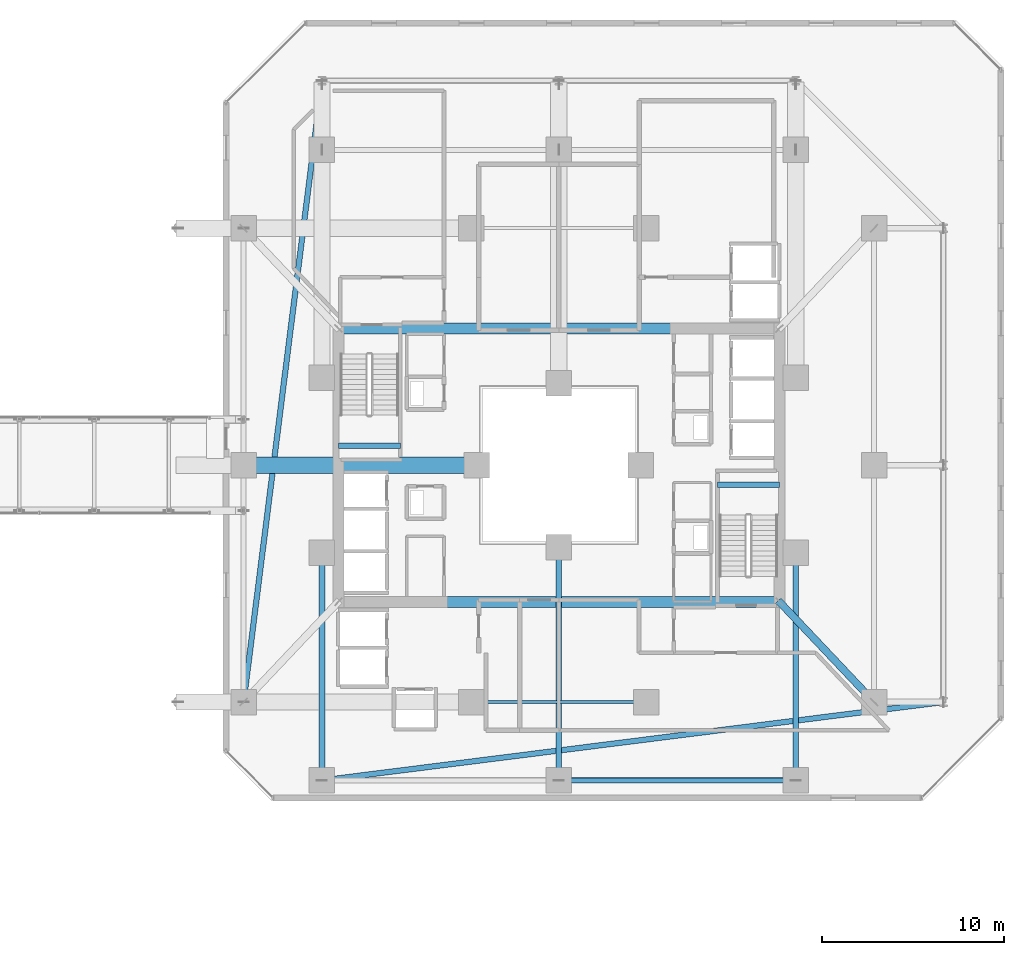
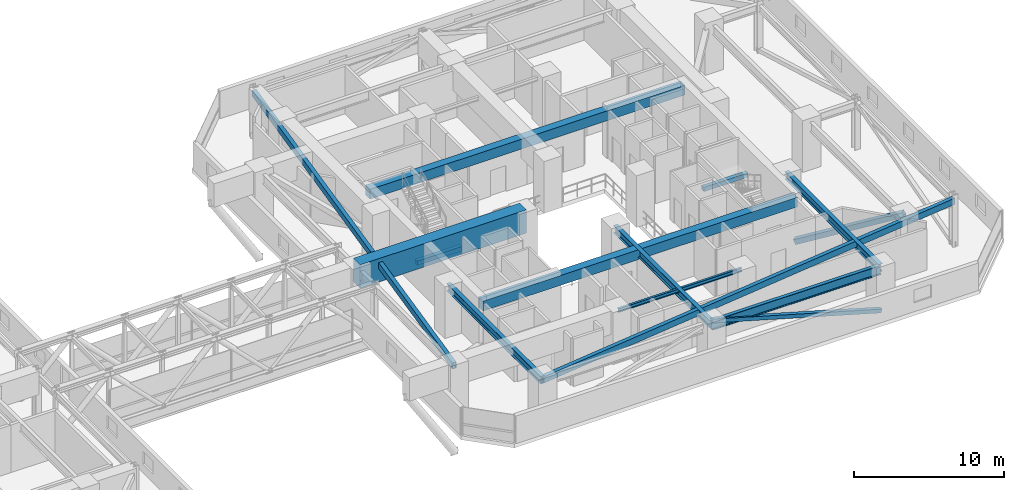
# One storey, part 18 of 38: 12 beams, 2 members.
"""IFC4 building model written with IfcOpenShell, lengths in metres."""

from ifc_helpers import new_model, si_unit, direction, frame, origin, origin_2d, place, context, subcontext, project, spatial, rectangle, hollow_rectangle, i_section, extrude, material, material_profile, profile_set, type_object, element, save


model = new_model("IFC4")

# Units and contexts
model_context = context("Model", 3, precision=1e-05, world=origin(), true_north=direction((0.0, 1.0)))
body_context = subcontext(model_context, "Body", "Model", "MODEL_VIEW")
ifc_project = project(units=[si_unit("LENGTHUNIT", "METRE"), si_unit("AREAUNIT", "SQUARE_METRE"), si_unit("VOLUMEUNIT", "CUBIC_METRE"), si_unit("PLANEANGLEUNIT", "RADIAN"), si_unit("MASSUNIT", "GRAM", prefix="KILO")], contexts=[model_context])

# Site, building, storey
site_placement = place(None, origin())
site = spatial("IfcSite", under=ifc_project, at=site_placement, CompositionType="ELEMENT")
building_placement = place(site_placement, origin())
building = spatial("IfcBuilding", under=site, at=building_placement, Name="Thornwick Lancets Civic Towers", CompositionType="ELEMENT")
storey_placement = place(building_placement, frame((0.0, 0.0, 71.699951171875)))
storey = spatial("IfcBuildingStorey", under=building, at=storey_placement, Name="L18", CompositionType="ELEMENT", Elevation=71.699951171875)

# Beams
ifc_material_1 = material(Name="Concrete C60/75", Category="concrete")
ifc_material_profile_1 = material_profile(ifc_material_1, rectangle(XDim=0.60009765625, YDim=0.800048828125, at=origin_2d()), Name="RC 600x800")
ifc_profile_set_1 = profile_set([ifc_material_profile_1], Name="Concrete C60/75")
beam_type_1 = type_object("IfcBeamType", Name="BM_COUP_RC800", PredefinedType="BEAM", material=ifc_profile_set_1)
for number, where, z_axis, x_axis, name in (
    (1, (76.39990234375, 34.5, 3.47998046875), (1.0, 0.0, 0.0), (0.0, 1.0, 0.0), "CB-L18-B1"),
    (2, (76.39990234375, 19.5, 3.47998046875), (1.0, 0.0, 0.0), (0.0, 1.0, 0.0), "CB-L18-B2"),
):
    element("IfcBeam", number, at=place(storey_placement, frame(where, z_axis=z_axis, x_axis=x_axis)), inside=storey, type_object=beam_type_1, Name=name, PredefinedType="BEAM", context=body_context, shape_type="SweptSolid", body=[
        extrude(rectangle(XDim=0.60009765625, YDim=0.800048828125, at=origin_2d()), origin(), (0.0, 0.0, 1.0), 24.2001953125),
    ])
ifc_material_2 = material(Name="Steel S355JR", Category="steel")
ifc_material_profile_2 = material_profile(ifc_material_2, i_section(OverallWidth=0.30712890625, OverallDepth=0.6201171875, WebThickness=0.01416015625, FlangeThickness=0.023681640625, FilletRadius=0.0166015625, at=origin_2d()), Name="UKB 610x305x179")
ifc_profile_set_2 = profile_set([ifc_material_profile_2], Name="Steel S355JR")
beam_type_2 = type_object("IfcBeamType", Name="BM_GIRD_610_179", PredefinedType="BEAM", material=ifc_profile_set_2)
beam_1_placement = place(storey_placement, frame((101.5, 22.199951171875, 3.570068359375), z_axis=(0.0, -1.0, 0.0), x_axis=(1.0, 0.0, 0.0)))
element("IfcBeam", 3, at=beam_1_placement, inside=storey, type_object=beam_type_2, Name="BM-RADIN-L18-B10", PredefinedType="BEAM", context=body_context, shape_type="SweptSolid", body=[
    extrude(i_section(OverallWidth=0.30712890625, OverallDepth=0.6201171875, WebThickness=0.01416015625, FlangeThickness=0.023681640625, FilletRadius=0.0166015625, at=origin_2d()), origin(), (0.0, 0.0, 1.0), 12.5),
])
beam_2_placement = place(storey_placement, frame((88.5, 22.5, 3.570068359375), z_axis=(0.0, -1.0, 0.0), x_axis=(1.0, 0.0, 0.0)))
element("IfcBeam", 4, at=beam_2_placement, inside=storey, type_object=beam_type_2, Name="BM-RADIN-L18-B11", PredefinedType="BEAM", context=body_context, shape_type="SweptSolid", body=[
    extrude(i_section(OverallWidth=0.30712890625, OverallDepth=0.6201171875, WebThickness=0.01416015625, FlangeThickness=0.023681640625, FilletRadius=0.0166015625, at=origin_2d()), origin(), (0.0, 0.0, 1.0), 12.800048828125),
])
beam_3_placement = place(storey_placement, frame((75.5, 22.199951171875, 3.570068359375), z_axis=(0.0, -1.0, 0.0), x_axis=(1.0, 0.0, 0.0)))
element("IfcBeam", 5, at=beam_3_placement, inside=storey, type_object=beam_type_2, Name="BM-RADIN-L18-B12", PredefinedType="BEAM", context=body_context, shape_type="SweptSolid", body=[
    extrude(i_section(OverallWidth=0.30712890625, OverallDepth=0.6201171875, WebThickness=0.01416015625, FlangeThickness=0.023681640625, FilletRadius=0.0166015625, at=origin_2d()), origin(), (0.0, 0.0, 1.0), 12.5),
])
ifc_material_profile_3 = material_profile(ifc_material_2, i_section(OverallWidth=0.26806640625, OverallDepth=0.769775390625, WebThickness=0.015625, FlangeThickness=0.025390625, FilletRadius=0.0166015625, at=origin_2d()), Name="UKB 762x267x197")
ifc_profile_set_3 = profile_set([ifc_material_profile_3], Name="Steel S355JR")
beam_type_3 = type_object("IfcBeamType", Name="BM_GIRD_762_197", PredefinedType="BEAM", material=ifc_profile_set_3)
beam_4_placement = place(storey_placement, frame((101.5, 9.699951171875, 3.4951171875), z_axis=(-1.0, 0.0, 0.0), x_axis=(0.0, -1.0, 0.0)))
element("IfcBeam", 6, at=beam_4_placement, inside=storey, type_object=beam_type_3, Name="BM-SPINE-L18-B-9-10", PredefinedType="BEAM", context=body_context, shape_type="SweptSolid", body=[
    extrude(i_section(OverallWidth=0.26806640625, OverallDepth=0.769775390625, WebThickness=0.015625, FlangeThickness=0.025390625, FilletRadius=0.0166015625, at=origin_2d()), origin(), (0.0, 0.0, 1.0), 13.0),
])
ifc_material_profile_4 = material_profile(ifc_material_2, i_section(OverallWidth=0.1669921875, OverallDepth=0.310302734375, WebThickness=0.0078125, FlangeThickness=0.013671875, FilletRadius=0.0087890625, at=origin_2d()), Name="UKB 305x165x54")
ifc_profile_set_4 = profile_set([ifc_material_profile_4], Name="Steel S355JR")
beam_type_4 = type_object("IfcBeamType", Name="BM_LINTEL_305_54", PredefinedType="LINTEL", material=ifc_profile_set_4)
beam_5_placement = place(storey_placement, frame((93.300048828125, 14.0, 3.724853515625), z_axis=(-1.0, 0.0, 0.0), x_axis=(0.0, -1.0, 0.0)))
element("IfcBeam", 7, at=beam_5_placement, inside=storey, type_object=beam_type_4, Name="BM-INSP-L18-B-0-2", PredefinedType="LINTEL", context=body_context, shape_type="SweptSolid", body=[
    extrude(i_section(OverallWidth=0.1669921875, OverallDepth=0.310302734375, WebThickness=0.0078125, FlangeThickness=0.013671875, FilletRadius=0.0087890625, at=origin_2d()), origin(), (0.0, 0.0, 1.0), 9.52001953125),
])
ifc_material_3 = material(Name="Steel S460M", Category="steel")
ifc_material_profile_5 = material_profile(ifc_material_3, hollow_rectangle(XDim=0.300048828125, YDim=0.5, WallThickness=0.02001953125, at=origin_2d()), Name="RHS 500x300x20")
ifc_profile_set_5 = profile_set([ifc_material_profile_5], Name="Steel S460M")
beam_type_5 = type_object("IfcBeamType", Name="BM_RING_RHS500", PredefinedType="BEAM", material=ifc_profile_set_5)
for number, where, z_axis, x_axis, name in (
    (8, (75.5, 48.10009765625, 3.630126953125), (-0.12510998836, -0.992142878225, 0.0), (0.992142878225, -0.12510998836, 0.0), "BM-CHAMF-L18-B-C1"),
    (9, (75.5, 9.699951171875, 3.630126953125), (0.992142878225, 0.12510998836, 0.0), (-0.12510998836, 0.992142878225, 0.0), "BM-CHAMF-L18-B-C3"),
):
    element("IfcBeam", number, at=place(storey_placement, frame(where, z_axis=z_axis, x_axis=x_axis)), inside=storey, type_object=beam_type_5, Name=name, PredefinedType="BEAM", context=body_context, shape_type="SweptSolid", body=[
        extrude(hollow_rectangle(XDim=0.300048828125, YDim=0.5, WallThickness=0.02001953125, at=origin_2d()), origin(), (0.0, 0.0, 1.0), 34.3701171875),
    ])
ifc_material_4 = material(Name="Concrete C40/50", Category="concrete")
ifc_material_profile_6 = material_profile(ifc_material_4, rectangle(XDim=0.300048828125, YDim=0.35009765625, at=origin_2d()), Name="RC 300x350")
ifc_profile_set_6 = profile_set([ifc_material_profile_6], Name="Concrete C40/50")
beam_type_6 = type_object("IfcBeamType", Name="BM_STAIR_LDG", PredefinedType="BEAM", material=ifc_profile_set_6)
for number, where, z_axis, x_axis, name in (
    (10, (100.60009765625, 25.93505859375, 1.677978515625), (-1.0, 0.0, 0.0), (0.0, -1.0, 0.0), "L18 ST-B1 Landing Support Beam 1"),
    (11, (76.39990234375, 28.06494140625, 1.677978515625), (1.0, 0.0, 0.0), (0.0, 1.0, 0.0), "L18 ST-B2 Landing Support Beam 1"),
):
    element("IfcBeam", number, at=place(storey_placement, frame(where, z_axis=z_axis, x_axis=x_axis)), inside=storey, type_object=beam_type_6, Name=name, PredefinedType="BEAM", context=body_context, shape_type="SweptSolid", body=[
        extrude(rectangle(XDim=0.300048828125, YDim=0.35009765625, at=origin_2d()), origin(), (0.0, 0.0, 1.0), 3.400146484375),
    ])
ifc_material_profile_7 = material_profile(ifc_material_1, rectangle(XDim=0.89990234375, YDim=1.89990234375, at=origin_2d()), Name="RC 900x1900")
ifc_profile_set_7 = profile_set([ifc_material_profile_7], Name="Concrete C60/75")
beam_type_7 = type_object("IfcBeamType", Name="BM_TR_RC1900", PredefinedType="BEAM", material=ifc_profile_set_7)
beam_6_placement = place(storey_placement, frame((84.0, 27.0, 3.25), z_axis=(-1.0, 0.0, 0.0), x_axis=(0.0, -1.0, 0.0)))
element("IfcBeam", 12, at=beam_6_placement, inside=storey, type_object=beam_type_7, Name="TG-BACK-L19-B08", PredefinedType="BEAM", context=body_context, shape_type="SweptSolid", body=[
    extrude(rectangle(XDim=0.89990234375, YDim=1.89990234375, at=origin_2d()), origin(), (0.0, 0.0, 1.0), 12.800048828125),
])

# Members
ifc_material_profile_8 = material_profile(ifc_material_3, hollow_rectangle(XDim=0.300048828125, YDim=0.300048828125, WallThickness=0.01611328125, at=origin_2d()), Name="SHS 300x300x16")
ifc_profile_set_8 = profile_set([ifc_material_profile_8], Name="Steel S460M")
member_type_1 = type_object("IfcMemberType", Name="MEM_BELT_SHS300", PredefinedType="BRACE", material=ifc_profile_set_8)
member_1_placement = place(storey_placement, frame((101.5, 9.699951171875, 0.150146484375), z_axis=(-0.961216810803, 0.0, 0.27579384081), x_axis=(0.0, -1.0, 0.0)))
element("IfcMember", 13, at=member_1_placement, inside=storey, type_object=member_type_1, Name="L18 Belt Truss Diagonal B-S3-1", PredefinedType="BRACE", context=body_context, shape_type="SweptSolid", body=[
    extrude(hollow_rectangle(XDim=0.300048828125, YDim=0.300048828125, WallThickness=0.01611328125, at=origin_2d()), origin(), (0.0, 0.0, 1.0), 13.5244140625),
])
ifc_material_profile_9 = material_profile(ifc_material_3, hollow_rectangle(XDim=0.39990234375, YDim=0.39990234375, WallThickness=0.02001953125, at=origin_2d()), Name="SHS 400x400x20")
ifc_profile_set_9 = profile_set([ifc_material_profile_9], Name="Steel S460M")
member_type_2 = type_object("IfcMemberType", Name="MEM_OUTRIG_SHS400", PredefinedType="BRACE", material=ifc_profile_set_9)
member_2_placement = place(storey_placement, frame((100.60009765625, 19.5, 0.150146484375), z_axis=(0.616243593678, -0.651802229136, 0.442038106212), x_axis=(0.726649874932, 0.687007976126, 0.0)))
element("IfcMember", 14, at=member_2_placement, inside=storey, type_object=member_type_2, Name="L18 Outrigger Brace B-1", PredefinedType="BRACE", context=body_context, shape_type="SweptSolid", body=[
    extrude(hollow_rectangle(XDim=0.39990234375, YDim=0.39990234375, WallThickness=0.02001953125, at=origin_2d()), origin(), (0.0, 0.0, 1.0), 8.438232421875),
])

save(model, "model.ifc")
